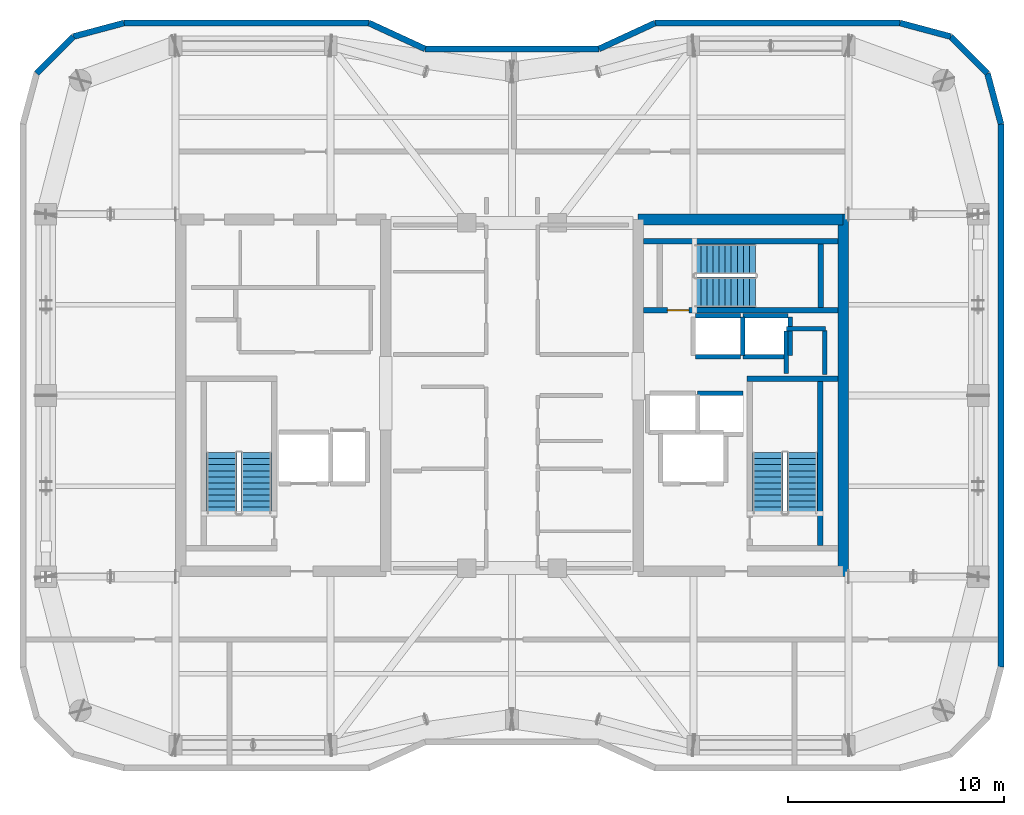
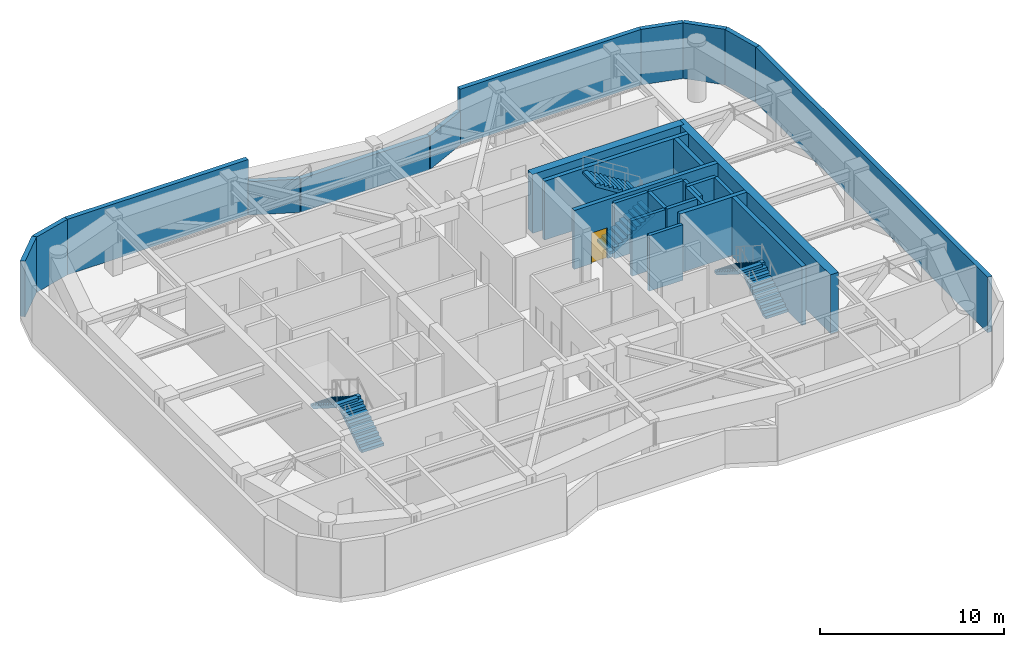
# One storey, part 10 of 11: 28 walls, 6 stair flights, 1 door, 1 opening, 3 elements without a shape of their own.
"""IFC4 building model written with IfcOpenShell, lengths in metres."""

from ifc_helpers import new_model, si_unit, direction, frame, frame_2d, origin, place, context, subcontext, project, spatial, polyline, rectangle, outline, extrude, material, layer, layer_set, type_object, element, fill, aggregate, save


model = new_model("IFC4")

# Units and contexts
model_context = context("Model", 3, precision=1e-05, world=origin(), true_north=direction((0.0, 1.0)))
body_context = subcontext(model_context, "Body", "Model", "MODEL_VIEW")
ifc_project = project(units=[si_unit("LENGTHUNIT", "METRE"), si_unit("AREAUNIT", "SQUARE_METRE"), si_unit("VOLUMEUNIT", "CUBIC_METRE"), si_unit("PLANEANGLEUNIT", "RADIAN"), si_unit("MASSUNIT", "GRAM", prefix="KILO")], contexts=[model_context])

# Site, building, storey
site_placement = place(None, origin())
site = spatial("IfcSite", under=ifc_project, at=site_placement, CompositionType="ELEMENT")
building_placement = place(site_placement, origin())
building = spatial("IfcBuilding", under=site, at=building_placement, Name="Kiyonajd Concourse Tower", CompositionType="ELEMENT")
storey_placement = place(building_placement, frame((0.0, 0.0, 282.300048828125)))
storey = spatial("IfcBuildingStorey", under=building, at=storey_placement, Name="L71", CompositionType="ELEMENT", Elevation=282.300048828125)

# Walls
ifc_material_1 = material(Name="Concrete C60/75", Category="concrete")
ifc_layer_1 = layer(ifc_material_1, 0.5)
ifc_layer_set_1 = layer_set([ifc_layer_1], Name="Concrete C60/75")
wall_type_1 = type_object("IfcWallType", Name="WL-CORE-500", PredefinedType="SHEAR", material=ifc_layer_set_1)
wall_1_placement = place(storey_placement, frame((63.35009765625, 27.60009765625, 0.0), z_axis=(0.0, 0.0, 1.0), x_axis=(0.0, 1.0, 0.0)))
element("IfcWall", 1, at=wall_1_placement, inside=storey, type_object=wall_type_1, Name="L71 East Core Outer Shear Wall", PredefinedType="SHEAR", context=body_context, shape_type="SweptSolid", body=[
    extrude(rectangle(XDim=16.7998046875, YDim=0.5, at=frame_2d((8.39990234375, 0.0))), origin(), (0.0, 0.0, 1.0), 3.89990234375),
])
wall_2_placement = place(storey_placement, frame((53.85009765625, 44.14990234375, 0.0), z_axis=(0.0, 0.0, 1.0), x_axis=(1.0, 0.0, 0.0)))
element("IfcWall", 2, at=wall_2_placement, inside=storey, type_object=wall_type_1, Name="L71 East Core North Shear Wall", PredefinedType="SHEAR", context=body_context, shape_type="SweptSolid", body=[
    extrude(rectangle(XDim=9.5, YDim=0.5, at=frame_2d((4.75, 0.0))), origin(), (0.0, 0.0, 1.0), 3.89990234375),
])
ifc_material_2 = material(Name="Precast concrete C50/60", Category="concrete")
ifc_layer_2 = layer(ifc_material_2, 0.280029296875)
ifc_layer_set_2 = layer_set([ifc_layer_2], Name="Precast concrete C50/60")
wall_type_2 = type_object("IfcWallType", Name="WL-EXT-280", PredefinedType="SOLIDWALL", material=ifc_layer_set_2)
wall_3_placement = place(storey_placement, frame((25.968505859375, 50.927490234375, 0.0), z_axis=(0.0, 0.0, 1.0), x_axis=(0.707106781187, 0.707106781187, 0.0)))
element("IfcWall", 3, at=wall_3_placement, inside=storey, type_object=wall_type_2, Name="L71 Exterior Concrete Frame Wall 02", PredefinedType="SOLIDWALL", context=body_context, shape_type="SweptSolid", body=[
    extrude(rectangle(XDim=2.409912109375, YDim=0.280029296875, at=frame_2d((1.205078125, 0.0))), origin(), (0.0, 0.0, 1.0), 3.679931640625),
])
wall_4_placement = place(storey_placement, frame((27.672607421875, 52.631591796875, 0.0), z_axis=(0.0, 0.0, 1.0), x_axis=(0.965937282298, 0.25877628691, 0.0)))
element("IfcWall", 4, at=wall_4_placement, inside=storey, type_object=wall_type_2, Name="L71 Exterior Concrete Frame Wall 03", PredefinedType="SOLIDWALL", context=body_context, shape_type="SweptSolid", body=[
    extrude(rectangle(XDim=2.428466796875, YDim=0.280029296875, at=frame_2d((1.21435546875, 0.0))), origin(), (0.0, 0.0, 1.0), 3.679931640625),
])
wall_5_placement = place(storey_placement, frame((30.018310546875, 53.260009765625, 0.0), z_axis=(0.0, 0.0, 1.0), x_axis=(1.0, 0.0, 0.0)))
element("IfcWall", 5, at=wall_5_placement, inside=storey, type_object=wall_type_2, Name="L71 Exterior Concrete Frame Wall 04", PredefinedType="SOLIDWALL", context=body_context, shape_type="SweptSolid", body=[
    extrude(rectangle(XDim=11.35107421875, YDim=0.280029296875, at=frame_2d((5.675537109375, 0.0))), origin(), (0.0, 0.0, 1.0), 3.679931640625),
])
wall_6_placement = place(storey_placement, frame((41.369384765625, 53.260009765625, 0.0), z_axis=(0.0, 0.0, 1.0), x_axis=(0.907956889006, -0.419063584324, 0.0)))
element("IfcWall", 6, at=wall_6_placement, inside=storey, type_object=wall_type_2, Name="L71 Exterior Concrete Frame Wall 05", PredefinedType="SOLIDWALL", context=body_context, shape_type="SweptSolid", body=[
    extrude(rectangle(XDim=2.863525390625, YDim=0.280029296875, at=frame_2d((1.431640625, 0.0))), origin(), (0.0, 0.0, 1.0), 2.21484375),
])
wall_7_placement = place(storey_placement, frame((43.96923828125, 52.06005859375, 0.0), z_axis=(0.0, 0.0, 1.0), x_axis=(1.0, 0.0, 0.0)))
element("IfcWall", 7, at=wall_7_placement, inside=storey, type_object=wall_type_2, Name="L71 Exterior Concrete Frame Wall 06", PredefinedType="SOLIDWALL", context=body_context, shape_type="SweptSolid", body=[
    extrude(rectangle(XDim=8.0615234375, YDim=0.280029296875, at=frame_2d((4.03076171875, 0.0))), origin(), (0.0, 0.0, 1.0), 2.21484375),
])
wall_8_placement = place(storey_placement, frame((52.03076171875, 52.06005859375, 0.0), z_axis=(0.0, 0.0, 1.0), x_axis=(0.907956889006, 0.419063584324, 0.0)))
element("IfcWall", 8, at=wall_8_placement, inside=storey, type_object=wall_type_2, Name="L71 Exterior Concrete Frame Wall 07", PredefinedType="SOLIDWALL", context=body_context, shape_type="SweptSolid", body=[
    extrude(rectangle(XDim=2.863525390625, YDim=0.280029296875, at=frame_2d((1.431640625, 0.0))), origin(), (0.0, 0.0, 1.0), 2.21484375),
])
wall_9_placement = place(storey_placement, frame((54.630615234375, 53.260009765625, 0.0), z_axis=(0.0, 0.0, 1.0), x_axis=(1.0, 0.0, 0.0)))
element("IfcWall", 9, at=wall_9_placement, inside=storey, type_object=wall_type_2, Name="L71 Exterior Concrete Frame Wall 08", PredefinedType="SOLIDWALL", context=body_context, shape_type="SweptSolid", body=[
    extrude(rectangle(XDim=11.35107421875, YDim=0.280029296875, at=frame_2d((5.675537109375, 0.0))), origin(), (0.0, 0.0, 1.0), 3.679931640625),
])
wall_10_placement = place(storey_placement, frame((65.981689453125, 53.260009765625, 0.0), z_axis=(0.0, 0.0, 1.0), x_axis=(0.965937282298, -0.25877628691, 0.0)))
element("IfcWall", 10, at=wall_10_placement, inside=storey, type_object=wall_type_2, Name="L71 Exterior Concrete Frame Wall 09", PredefinedType="SOLIDWALL", context=body_context, shape_type="SweptSolid", body=[
    extrude(rectangle(XDim=2.428466796875, YDim=0.280029296875, at=frame_2d((1.21435546875, 0.0))), origin(), (0.0, 0.0, 1.0), 3.679931640625),
])
wall_11_placement = place(storey_placement, frame((68.327392578125, 52.631591796875, 0.0), z_axis=(0.0, 0.0, 1.0), x_axis=(0.707106781187, -0.707106781187, 0.0)))
element("IfcWall", 11, at=wall_11_placement, inside=storey, type_object=wall_type_2, Name="L71 Exterior Concrete Frame Wall 10", PredefinedType="SOLIDWALL", context=body_context, shape_type="SweptSolid", body=[
    extrude(rectangle(XDim=2.409912109375, YDim=0.280029296875, at=frame_2d((1.205078125, 0.0))), origin(), (0.0, 0.0, 1.0), 3.679931640625),
])
wall_12_placement = place(storey_placement, frame((70.031494140625, 50.927490234375, 0.0), z_axis=(0.0, 0.0, 1.0), x_axis=(0.258751159445, -0.965944013639, 0.0)))
element("IfcWall", 12, at=wall_12_placement, inside=storey, type_object=wall_type_2, Name="L71 Exterior Concrete Frame Wall 11", PredefinedType="SOLIDWALL", context=body_context, shape_type="SweptSolid", body=[
    extrude(rectangle(XDim=2.4287109375, YDim=0.280029296875, at=frame_2d((1.21435546875, 0.0))), origin(), (0.0, 0.0, 1.0), 3.679931640625),
])
wall_13_placement = place(storey_placement, frame((70.659912109375, 48.58154296875, 0.0), z_axis=(0.0, 0.0, 1.0), x_axis=(0.0, -1.0, 0.0)))
element("IfcWall", 13, at=wall_13_placement, inside=storey, type_object=wall_type_2, Name="L71 Exterior Concrete Frame Wall 12", PredefinedType="SOLIDWALL", context=body_context, shape_type="SweptSolid", body=[
    extrude(rectangle(XDim=25.1630859375, YDim=0.280029296875, at=frame_2d((12.58154296875, 0.0))), origin(), (0.0, 0.0, 1.0), 3.679931640625),
])
ifc_material_3 = material(Name="Gypsum Board on Cold-Formed Steel Stud", Category="steel")
ifc_layer_3 = layer(ifc_material_3, 0.2099609375)
ifc_layer_set_3 = layer_set([ifc_layer_3], Name="Gypsum Board on Cold-Formed Steel Stud")
wall_type_3 = type_object("IfcWallType", Name="WL-SHAFT-210", PredefinedType="PARTITIONING", material=ifc_layer_set_3)
wall_14_placement = place(storey_placement, frame((60.719970703125, 39.10009765625, 0.0), z_axis=(0.0, 0.0, 1.0), x_axis=(1.0, 0.0, 0.0)))
element("IfcWall", 14, at=wall_14_placement, inside=storey, type_object=wall_type_3, Name="L71 Shaft Enclosure Wall", PredefinedType="PARTITIONING", context=body_context, shape_type="SweptSolid", body=[
    extrude(rectangle(XDim=1.800048828125, YDim=0.2099609375, at=frame_2d((0.89990234375, 0.0))), origin(), (0.0, 0.0, 1.0), 3.679931640625),
])
wall_15_placement = place(storey_placement, frame((60.699951171875, 37.02001953125, 0.0), z_axis=(0.0, 0.0, 1.0), x_axis=(0.0, 1.0, 0.0)))
element("IfcWall", 15, at=wall_15_placement, inside=storey, type_object=wall_type_3, Name="L71 Shaft Enclosure Wall", PredefinedType="PARTITIONING", context=body_context, shape_type="SweptSolid", body=[
    extrude(rectangle(XDim=1.9599609375, YDim=0.2099609375, at=frame_2d((0.97998046875, 0.0))), origin(), (0.0, 0.0, 1.0), 3.679931640625),
])
wall_16_placement = place(storey_placement, frame((62.5, 36.97998046875, 0.0), z_axis=(0.0, 0.0, 1.0), x_axis=(0.0, 1.0, 0.0)))
element("IfcWall", 16, at=wall_16_placement, inside=storey, type_object=wall_type_3, Name="L71 Shaft Enclosure Wall", PredefinedType="PARTITIONING", context=body_context, shape_type="SweptSolid", body=[
    extrude(rectangle(XDim=2.0400390625, YDim=0.2099609375, at=frame_2d((1.02001953125, 0.0))), origin(), (0.0, 0.0, 1.0), 3.679931640625),
])
wall_17_placement = place(storey_placement, frame((56.60009765625, 36.10009765625, 0.0), z_axis=(0.0, 0.0, 1.0), x_axis=(1.0, 0.0, 0.0)))
element("IfcWall", 17, at=wall_17_placement, inside=storey, type_object=wall_type_3, Name="L71 Shaft Enclosure Wall", PredefinedType="PARTITIONING", context=body_context, shape_type="SweptSolid", body=[
    extrude(rectangle(XDim=2.099853515625, YDim=0.2099609375, at=frame_2d((1.0498046875, 0.0))), origin(), (0.0, 0.0, 1.0), 3.679931640625),
])
for number, where, z_axis, x_axis, name in (
    (18, (56.5, 37.800048828125, 0.0), (0.0, 0.0, 1.0), (1.0, 0.0, 0.0), "L71 Shaft Enclosure Wall"),
    (19, (56.5, 39.699951171875, 0.0), (0.0, 0.0, 1.0), (1.0, 0.0, 0.0), "L71 Shaft Enclosure Wall"),
):
    element("IfcWall", number, at=place(storey_placement, frame(where, z_axis=z_axis, x_axis=x_axis)), inside=storey, type_object=wall_type_3, Name=name, PredefinedType="PARTITIONING", context=body_context, shape_type="SweptSolid", body=[
        extrude(rectangle(XDim=2.10009765625, YDim=0.2099609375, at=frame_2d((1.050048828125, 0.0))), origin(), (0.0, 0.0, 1.0), 3.679931640625),
    ])
wall_18_placement = place(storey_placement, frame((58.699951171875, 37.860107421875, 0.0), z_axis=(0.0, 0.0, 1.0), x_axis=(0.0, 1.0, 0.0)))
element("IfcWall", 20, at=wall_18_placement, inside=storey, type_object=wall_type_3, Name="L71 Shaft Enclosure Wall", PredefinedType="PARTITIONING", context=body_context, shape_type="SweptSolid", body=[
    extrude(rectangle(XDim=1.77978515625, YDim=0.2099609375, at=frame_2d((0.889892578125, 0.0))), origin(), (0.0, 0.0, 1.0), 3.679931640625),
])
for number, where, z_axis, x_axis, name in (
    (21, (58.699951171875, 37.800048828125, 0.0), (0.0, 0.0, 1.0), (1.0, 0.0, 0.0), "L71 Shaft Enclosure Wall"),
    (22, (58.699951171875, 39.699951171875, 0.0), (0.0, 0.0, 1.0), (1.0, 0.0, 0.0), "L71 Shaft Enclosure Wall"),
):
    element("IfcWall", number, at=place(storey_placement, frame(where, z_axis=z_axis, x_axis=x_axis)), inside=storey, type_object=wall_type_3, Name=name, PredefinedType="PARTITIONING", context=body_context, shape_type="SweptSolid", body=[
        extrude(rectangle(XDim=2.10009765625, YDim=0.2099609375, at=frame_2d((1.050048828125, 0.0))), origin(), (0.0, 0.0, 1.0), 3.679931640625),
    ])
wall_19_placement = place(storey_placement, frame((60.89990234375, 37.860107421875, 0.0), z_axis=(0.0, 0.0, 1.0), x_axis=(0.0, 1.0, 0.0)))
element("IfcWall", 23, at=wall_19_placement, inside=storey, type_object=wall_type_3, Name="L71 Shaft Enclosure Wall", PredefinedType="PARTITIONING", context=body_context, shape_type="SweptSolid", body=[
    extrude(rectangle(XDim=1.77978515625, YDim=0.2099609375, at=frame_2d((0.889892578125, 0.0))), origin(), (0.0, 0.0, 1.0), 3.679931640625),
])
ifc_material_4 = material(Name="Concrete C50/60", Category="concrete")
ifc_layer_4 = layer(ifc_material_4, 0.260009765625)
ifc_layer_set_4 = layer_set([ifc_layer_4], Name="Concrete C50/60")
wall_type_4 = type_object("IfcWallType", Name="WL-STAIR-260", PredefinedType="SHEAR", material=ifc_layer_set_4)
wall_20_placement = place(storey_placement, frame((58.889892578125, 36.780029296875, 0.0), z_axis=(0.0, 0.0, 1.0), x_axis=(1.0, 0.0, 0.0)))
element("IfcWall", 24, at=wall_20_placement, inside=storey, type_object=wall_type_4, Name="L71 Stair ST2 Structural North Wall", PredefinedType="SHEAR", context=body_context, shape_type="SweptSolid", body=[
    extrude(rectangle(XDim=4.210205078125, YDim=0.260009765625, at=frame_2d((2.10498046875, 0.0))), origin(), (0.0, 0.0, 1.0), 3.89990234375),
])
wall_21_placement = place(storey_placement, frame((62.280029296875, 29.050048828125, 0.0), z_axis=(0.0, 0.0, 1.0), x_axis=(0.0, 1.0, 0.0)))
element("IfcWall", 25, at=wall_21_placement, inside=storey, type_object=wall_type_4, Name="L71 Stair ST2 Structural East Wall", PredefinedType="SHEAR", context=body_context, shape_type="SweptSolid", body=[
    extrude(rectangle(XDim=7.599853515625, YDim=0.260009765625, at=frame_2d((3.7998046875, 0.0))), origin(), (0.0, 0.0, 1.0), 3.89990234375),
])

# Wall, opening, door
wall_22_placement = place(storey_placement, frame((54.10009765625, 39.949951171875, 0.0), z_axis=(0.0, 0.0, 1.0), x_axis=(1.0, 0.0, 0.0)))
wall_22 = element("IfcWall", 26, at=wall_22_placement, inside=storey, type_object=wall_type_4, Name="L71 Stair ST3 Structural South Wall", PredefinedType="SHEAR", context=body_context, shape_type="SweptSolid", body=[
    extrude(rectangle(XDim=9.0, YDim=0.260009765625, at=frame_2d((4.5, 0.0))), origin(), (0.0, 0.0, 1.0), 3.89990234375),
])
opening_placement = place(wall_22_placement, frame((1.10009765625, 0.0, 0.0)))
opening = element("IfcOpeningElement", 27, at=opening_placement, cuts=wall_22, Name="Opening DF1", PredefinedType="OPENING", context=body_context, shape_type="SweptSolid", body=[
    extrude(rectangle(XDim=1.0, YDim=2.0400390625, at=frame_2d((0.5, 1.02001953125))), frame((0.0, 0.139892578125, 0.0), z_axis=(0.0, -1.0, 0.0), x_axis=(1.0, 0.0, 0.0)), (0.0, 0.0, 1.0), 0.280029296875),
])
ifc_material_5 = material(Name="Brushed Stainless Steel Cab Assembly", Category="steel")
door_type = type_object("IfcDoorType", Name="DR-FD90-1000", OperationType="NOTDEFINED", PredefinedType="DOOR", material=ifc_material_5)
door_placement = place(opening_placement, origin())
door = element("IfcDoor", 28, at=door_placement, inside=storey, type_object=door_type, Name="L71 Stair ST3 Enclosure Door", OperationType="SINGLE_SWING_LEFT", OverallHeight=2.0400390625, OverallWidth=1.0, PredefinedType="DOOR", context=body_context, shape_type="SweptSolid", body=[
    extrude(rectangle(XDim=1.0, YDim=2.0400390625, at=frame_2d((0.5, 1.02001953125))), frame((0.0, 0.02490234375, 0.0), z_axis=(0.0, -1.0, 0.0), x_axis=(1.0, 0.0, 0.0)), (0.0, 0.0, 1.0), 0.050048828125),
])
fill(opening, door)

# Walls
wall_23_placement = place(storey_placement, frame((54.10009765625, 43.14990234375, 0.0), z_axis=(0.0, 0.0, 1.0), x_axis=(1.0, 0.0, 0.0)))
element("IfcWall", 29, at=wall_23_placement, inside=storey, type_object=wall_type_4, Name="L71 Stair ST3 Structural North Wall", PredefinedType="SHEAR", context=body_context, shape_type="SweptSolid", body=[
    extrude(rectangle(XDim=9.0, YDim=0.260009765625, at=frame_2d((4.5, 0.0))), origin(), (0.0, 0.0, 1.0), 3.89990234375),
])
wall_24_placement = place(storey_placement, frame((62.31005859375, 40.080078125, 0.0), z_axis=(0.0, 0.0, 1.0), x_axis=(0.0, 1.0, 0.0)))
element("IfcWall", 30, at=wall_24_placement, inside=storey, type_object=wall_type_4, Name="L71 Stair ST3 Structural East Wall", PredefinedType="SHEAR", context=body_context, shape_type="SweptSolid", body=[
    extrude(rectangle(XDim=2.93994140625, YDim=0.260009765625, at=frame_2d((1.469970703125, 0.0))), origin(), (0.0, 0.0, 1.0), 3.89990234375),
])

# Stair, stair flights
ifc_material_6 = material(Name="Concrete C40/50", Category="concrete")
stair_type = type_object("IfcStairType", Name="ST-DLG-22R", PredefinedType="HALF_TURN_STAIR", material=ifc_material_6)
stair_1_placement = place(storey_placement, origin())
stair_1 = element("IfcStair", 31, at=stair_1_placement, inside=storey, type_object=stair_type, Name="L71 Protected Exit Stair ST1", PredefinedType="HALF_TURN_STAIR")
stair_flight_type = type_object("IfcStairFlightType", Name="SF-STR-22R", PredefinedType="STRAIGHT", material=ifc_material_6)
stair_flight_1_placement = place(storey_placement, frame((36.14990234375, 30.550048828125, 0.0), z_axis=(0.0, 0.0, 1.0), x_axis=(0.0, 1.0, 0.0)))
stair_flight_1 = element("IfcStairFlight", 32, at=stair_flight_1_placement, type_object=stair_flight_type, Name="ST1 flight 1", NumberOfRisers=11, NumberOfTreads=10, PredefinedType="STRAIGHT", RiserHeight=0.177272727, TreadLength=0.28, context=body_context, shape_type="SweptSolid", body=[
    extrude(outline(polyline([(0.0, 0.0), (0.0, 0.17724609375), (0.280029296875, 0.17724609375), (0.280029296875, 0.3544921875), (0.56005859375, 0.3544921875), (0.56005859375, 0.53173828125), (0.840087890625, 0.53173828125), (0.840087890625, 0.708984375), (1.1201171875, 0.708984375), (1.1201171875, 0.886474609375), (1.39990234375, 0.886474609375), (1.39990234375, 1.063720703125), (1.679931640625, 1.063720703125), (1.679931640625, 1.240966796875), (1.9599609375, 1.240966796875), (1.9599609375, 1.418212890625), (2.239990234375, 1.418212890625), (2.239990234375, 1.595458984375), (2.52001953125, 1.595458984375), (2.52001953125, 1.772705078125), (2.800048828125, 1.772705078125), (2.800048828125, 1.949951171875), (2.800048828125, 1.59521484375), (0.2802734375, 0.0), (0.0, 0.0)])), frame((0.0, 0.699951171875, 0.0), z_axis=(0.0, -1.0, 0.0), x_axis=(1.0, 0.0, 0.0)), (0.0, 0.0, 1.0), 1.39990234375),
])
stair_flight_2_placement = place(storey_placement, frame((34.550048828125, 33.35009765625, 1.949951171875), z_axis=(0.0, 0.0, 1.0), x_axis=(0.0, -1.0, 0.0)))
stair_flight_2 = element("IfcStairFlight", 33, at=stair_flight_2_placement, type_object=stair_flight_type, Name="ST1 flight 2", NumberOfRisers=11, NumberOfTreads=10, PredefinedType="STRAIGHT", RiserHeight=0.177272727, TreadLength=0.28, context=body_context, shape_type="SweptSolid", body=[
    extrude(outline(polyline([(0.0, 0.0), (0.0, 0.17724609375), (0.280029296875, 0.17724609375), (0.280029296875, 0.3544921875), (0.56005859375, 0.3544921875), (0.56005859375, 0.53173828125), (0.840087890625, 0.53173828125), (0.840087890625, 0.708984375), (1.1201171875, 0.708984375), (1.1201171875, 0.886474609375), (1.39990234375, 0.886474609375), (1.39990234375, 1.063720703125), (1.679931640625, 1.063720703125), (1.679931640625, 1.240966796875), (1.9599609375, 1.240966796875), (1.9599609375, 1.418212890625), (2.239990234375, 1.418212890625), (2.239990234375, 1.595458984375), (2.52001953125, 1.595458984375), (2.52001953125, 1.772705078125), (2.800048828125, 1.772705078125), (2.800048828125, 1.949951171875), (2.800048828125, 1.59521484375), (0.2802734375, 0.0), (0.0, 0.0)])), frame((0.0, 0.699951171875, 0.0), z_axis=(0.0, -1.0, 0.0), x_axis=(1.0, 0.0, 0.0)), (0.0, 0.0, 1.0), 1.39990234375),
])
aggregate(stair_1, [stair_flight_1, stair_flight_2])

stair_2_placement = place(storey_placement, origin())
stair_2 = element("IfcStair", 34, at=stair_2_placement, inside=storey, type_object=stair_type, Name="L71 Protected Exit Stair ST2", PredefinedType="HALF_TURN_STAIR")
stair_flight_3_placement = place(storey_placement, frame((61.449951171875, 30.550048828125, 0.0), z_axis=(0.0, 0.0, 1.0), x_axis=(0.0, 1.0, 0.0)))
stair_flight_3 = element("IfcStairFlight", 35, at=stair_flight_3_placement, type_object=stair_flight_type, Name="ST2 flight 1", NumberOfRisers=11, NumberOfTreads=10, PredefinedType="STRAIGHT", RiserHeight=0.177272727, TreadLength=0.28, context=body_context, shape_type="SweptSolid", body=[
    extrude(outline(polyline([(0.0, 0.0), (0.0, 0.17724609375), (0.280029296875, 0.17724609375), (0.280029296875, 0.3544921875), (0.56005859375, 0.3544921875), (0.56005859375, 0.53173828125), (0.840087890625, 0.53173828125), (0.840087890625, 0.708984375), (1.1201171875, 0.708984375), (1.1201171875, 0.886474609375), (1.39990234375, 0.886474609375), (1.39990234375, 1.063720703125), (1.679931640625, 1.063720703125), (1.679931640625, 1.240966796875), (1.9599609375, 1.240966796875), (1.9599609375, 1.418212890625), (2.239990234375, 1.418212890625), (2.239990234375, 1.595458984375), (2.52001953125, 1.595458984375), (2.52001953125, 1.772705078125), (2.800048828125, 1.772705078125), (2.800048828125, 1.949951171875), (2.800048828125, 1.59521484375), (0.2802734375, 0.0), (0.0, 0.0)])), frame((0.0, 0.699951171875, 0.0), z_axis=(0.0, -1.0, 0.0), x_axis=(1.0, 0.0, 0.0)), (0.0, 0.0, 1.0), 1.39990234375),
])
stair_flight_4_placement = place(storey_placement, frame((59.85009765625, 33.35009765625, 1.949951171875), z_axis=(0.0, 0.0, 1.0), x_axis=(0.0, -1.0, 0.0)))
stair_flight_4 = element("IfcStairFlight", 36, at=stair_flight_4_placement, type_object=stair_flight_type, Name="ST2 flight 2", NumberOfRisers=11, NumberOfTreads=10, PredefinedType="STRAIGHT", RiserHeight=0.177272727, TreadLength=0.28, context=body_context, shape_type="SweptSolid", body=[
    extrude(outline(polyline([(0.0, 0.0), (0.0, 0.17724609375), (0.280029296875, 0.17724609375), (0.280029296875, 0.3544921875), (0.56005859375, 0.3544921875), (0.56005859375, 0.53173828125), (0.840087890625, 0.53173828125), (0.840087890625, 0.708984375), (1.1201171875, 0.708984375), (1.1201171875, 0.886474609375), (1.39990234375, 0.886474609375), (1.39990234375, 1.063720703125), (1.679931640625, 1.063720703125), (1.679931640625, 1.240966796875), (1.9599609375, 1.240966796875), (1.9599609375, 1.418212890625), (2.239990234375, 1.418212890625), (2.239990234375, 1.595458984375), (2.52001953125, 1.595458984375), (2.52001953125, 1.772705078125), (2.800048828125, 1.772705078125), (2.800048828125, 1.949951171875), (2.800048828125, 1.59521484375), (0.2802734375, 0.0), (0.0, 0.0)])), frame((0.0, 0.699951171875, 0.0), z_axis=(0.0, -1.0, 0.0), x_axis=(1.0, 0.0, 0.0)), (0.0, 0.0, 1.0), 1.39990234375),
])
aggregate(stair_2, [stair_flight_3, stair_flight_4])

stair_3_placement = place(storey_placement, origin())
stair_3 = element("IfcStair", 37, at=stair_3_placement, inside=storey, type_object=stair_type, Name="L71 Protected Exit Stair ST3", PredefinedType="HALF_TURN_STAIR")
stair_flight_5_placement = place(storey_placement, frame((56.47998046875, 40.780029296875, 0.0), z_axis=(0.0, 0.0, 1.0), x_axis=(1.0, 0.0, 0.0)))
stair_flight_5 = element("IfcStairFlight", 38, at=stair_flight_5_placement, type_object=stair_flight_type, Name="ST3 flight 1", NumberOfRisers=11, NumberOfTreads=10, PredefinedType="STRAIGHT", RiserHeight=0.177272727, TreadLength=0.28, context=body_context, shape_type="SweptSolid", body=[
    extrude(outline(polyline([(0.0, 0.0), (0.0, 0.17724609375), (0.280029296875, 0.17724609375), (0.280029296875, 0.3544921875), (0.56005859375, 0.3544921875), (0.56005859375, 0.53173828125), (0.840087890625, 0.53173828125), (0.840087890625, 0.708984375), (1.1201171875, 0.708984375), (1.1201171875, 0.886474609375), (1.39990234375, 0.886474609375), (1.39990234375, 1.063720703125), (1.679931640625, 1.063720703125), (1.679931640625, 1.240966796875), (1.9599609375, 1.240966796875), (1.9599609375, 1.418212890625), (2.239990234375, 1.418212890625), (2.239990234375, 1.595458984375), (2.52001953125, 1.595458984375), (2.52001953125, 1.772705078125), (2.800048828125, 1.772705078125), (2.800048828125, 1.949951171875), (2.800048828125, 1.59521484375), (0.2802734375, 0.0), (0.0, 0.0)])), frame((0.0, 0.699951171875, 0.0), z_axis=(0.0, -1.0, 0.0), x_axis=(1.0, 0.0, 0.0)), (0.0, 0.0, 1.0), 1.39990234375),
])
stair_flight_6_placement = place(storey_placement, frame((59.280029296875, 42.320068359375, 1.949951171875), z_axis=(0.0, 0.0, 1.0), x_axis=(-1.0, 0.0, 0.0)))
stair_flight_6 = element("IfcStairFlight", 39, at=stair_flight_6_placement, type_object=stair_flight_type, Name="ST3 flight 2", NumberOfRisers=11, NumberOfTreads=10, PredefinedType="STRAIGHT", RiserHeight=0.177272727, TreadLength=0.28, context=body_context, shape_type="SweptSolid", body=[
    extrude(outline(polyline([(0.0, 0.0), (0.0, 0.17724609375), (0.280029296875, 0.17724609375), (0.280029296875, 0.3544921875), (0.56005859375, 0.3544921875), (0.56005859375, 0.53173828125), (0.840087890625, 0.53173828125), (0.840087890625, 0.708984375), (1.1201171875, 0.708984375), (1.1201171875, 0.886474609375), (1.39990234375, 0.886474609375), (1.39990234375, 1.063720703125), (1.679931640625, 1.063720703125), (1.679931640625, 1.240966796875), (1.9599609375, 1.240966796875), (1.9599609375, 1.418212890625), (2.239990234375, 1.418212890625), (2.239990234375, 1.595458984375), (2.52001953125, 1.595458984375), (2.52001953125, 1.772705078125), (2.800048828125, 1.772705078125), (2.800048828125, 1.949951171875), (2.800048828125, 1.59521484375), (0.2802734375, 0.0), (0.0, 0.0)])), frame((0.0, 0.699951171875, 0.0), z_axis=(0.0, -1.0, 0.0), x_axis=(1.0, 0.0, 0.0)), (0.0, 0.0, 1.0), 1.39990234375),
])
aggregate(stair_3, [stair_flight_5, stair_flight_6])

save(model, "model.ifc")
